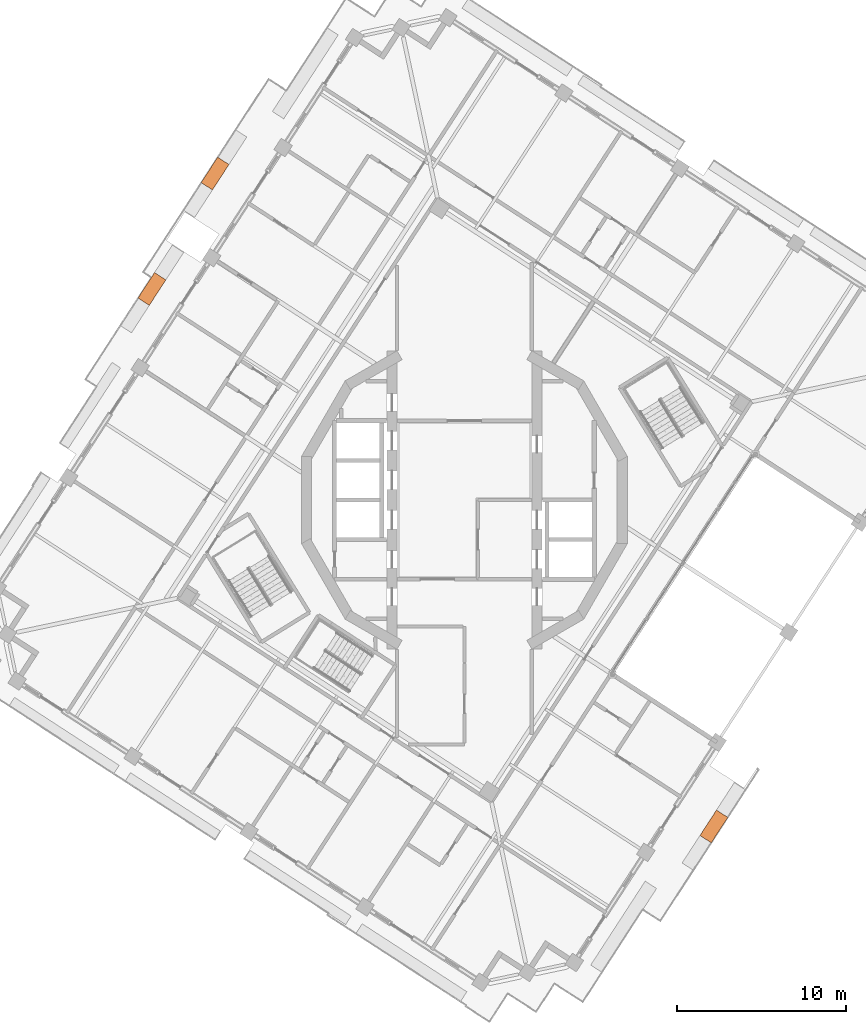
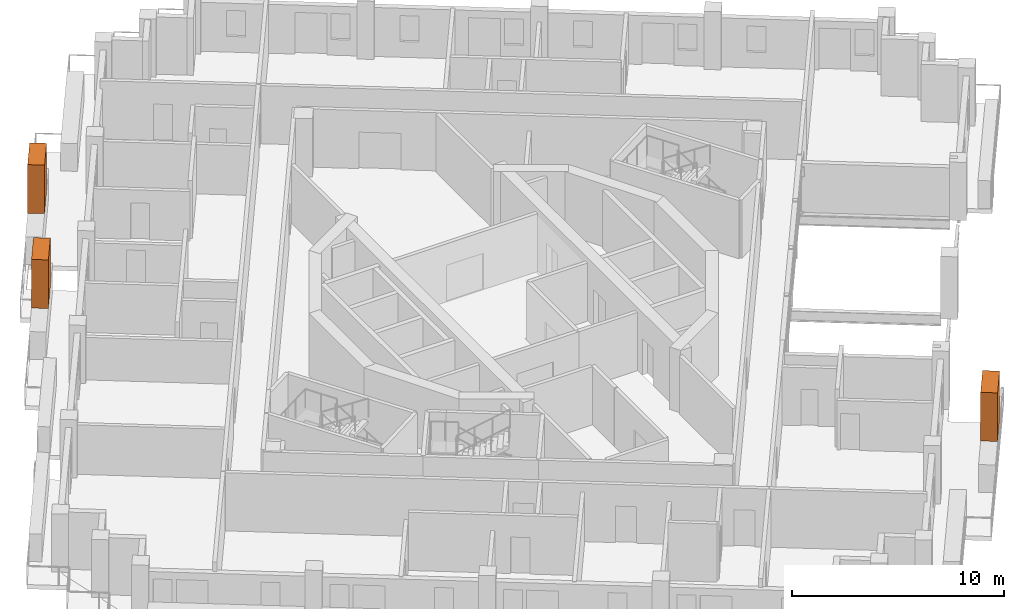
# One storey, part 17 of 17: 3 proxies.
"""IFC4 building model written with IfcOpenShell, lengths in metres."""

from ifc_helpers import new_model, si_unit, direction, frame, origin, origin_2d, place, context, subcontext, project, spatial, rectangle, extrude, element, save


model = new_model("IFC4")

# Units and contexts
model_context = context("Model", 3, precision=1e-05, world=origin(), true_north=direction((0.0, 1.0)))
body_context = subcontext(model_context, "Body", "Model", "MODEL_VIEW")
ifc_project = project(units=[si_unit("LENGTHUNIT", "METRE"), si_unit("AREAUNIT", "SQUARE_METRE"), si_unit("VOLUMEUNIT", "CUBIC_METRE"), si_unit("PLANEANGLEUNIT", "RADIAN"), si_unit("MASSUNIT", "GRAM", prefix="KILO")], contexts=[model_context])

# Site, building, storey
site_placement = place(None, origin())
site = spatial("IfcSite", under=ifc_project, at=site_placement, CompositionType="ELEMENT")
building_placement = place(site_placement, origin())
building = spatial("IfcBuilding", under=site, at=building_placement, Name="Cantera Rosa Tower", CompositionType="ELEMENT")
storey_placement = place(building_placement, frame((0.0, 0.0, 268.5)))
storey = spatial("IfcBuildingStorey", under=building, at=storey_placement, Name="L60", CompositionType="ELEMENT", Elevation=268.5)

# Proxies
for number, where, z_axis, x_axis, name in (
    (1, (-14.790771484375, 19.35888671875, 1.60009765625), (0.0, 0.0, 1.0), (-0.544639035015, -0.838670567945, 0.0), "TREE L60-06"),
    (2, (-18.53564453125, 12.51416015625, 1.60009765625), (0.0, 0.0, 1.0), (-0.544639035015, -0.838670567945, 0.0), "TREE L60-07"),
    (3, (14.790771484375, -19.35888671875, 1.60009765625), (0.0, 0.0, 1.0), (0.544639035015, 0.838670567945, 0.0), "TREE L60-15"),
):
    element("IfcBuildingElementProxy", number, at=place(storey_placement, frame(where, z_axis=z_axis, x_axis=x_axis)), inside=storey, Name=name, ObjectType="TREE", PredefinedType="USERDEFINED", context=body_context, shape_type="SweptSolid", body=[
        extrude(rectangle(XDim=1.800048828125, YDim=0.800048828125, at=origin_2d()), origin(), (0.0, 0.0, 1.0), 2.800048828125),
    ])

save(model, "model.ifc")
